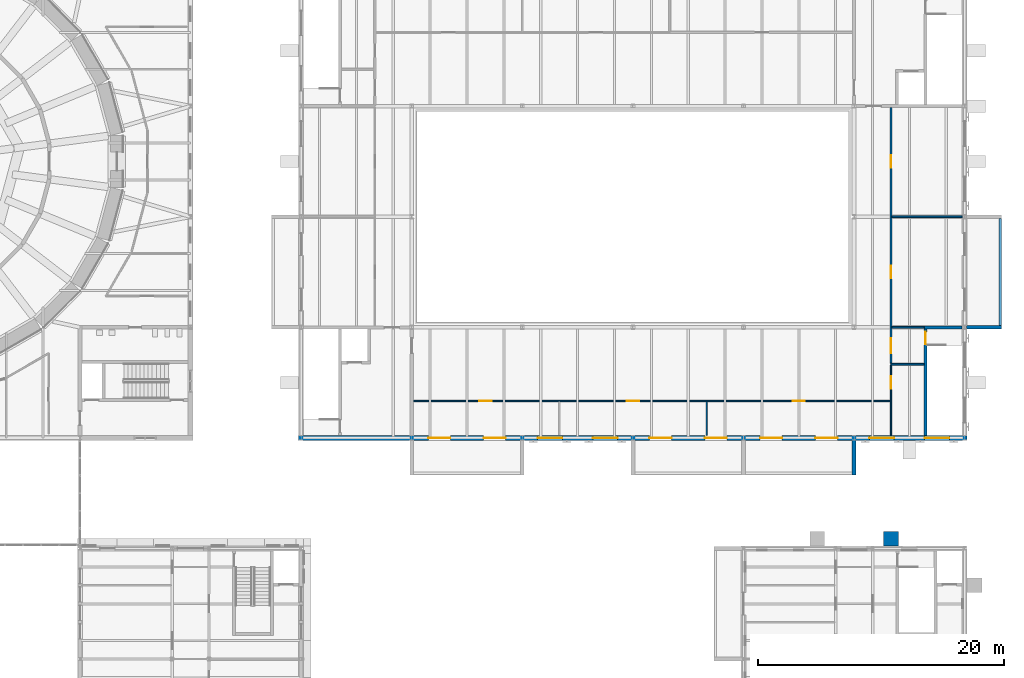
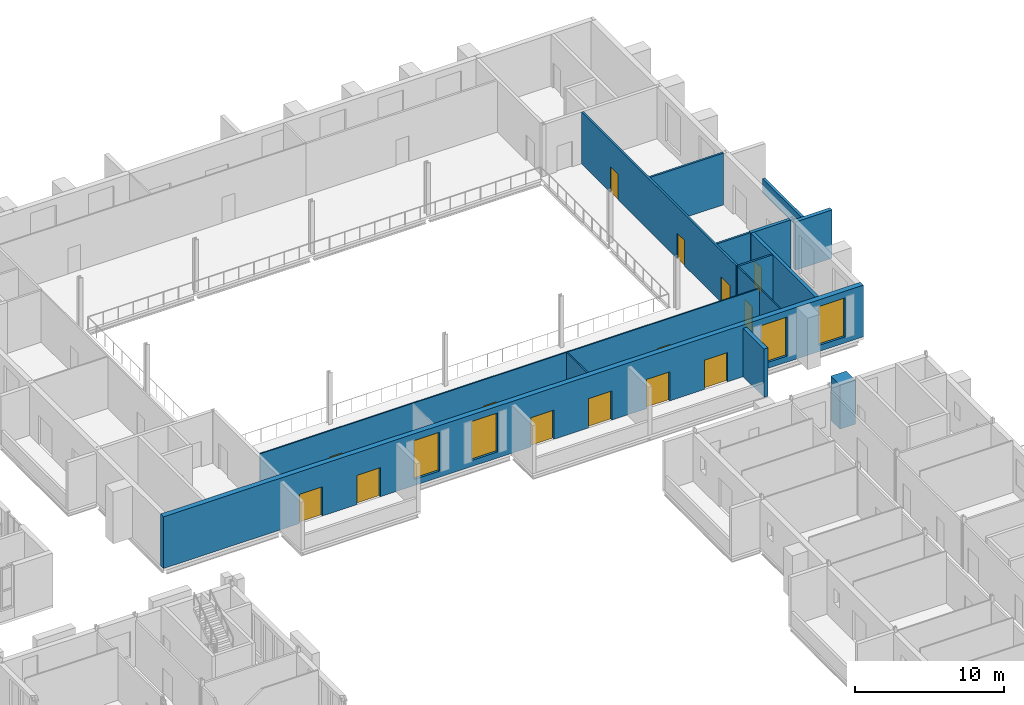
# One storey, part 94 of 131: 14 doors, 14 walls, 4 windows, 18 openings.
"""IFC4 building model written with IfcOpenShell, lengths in metres."""

import ifcopenshell
import ifcopenshell.guid

model = None  # the IFC model being written
_history = None  # IfcOwnerHistory: only IFC2X3 demands one
_inside = {}  # id of a spatial element -> (the spatial element, [elements in it])
_under = {}  # id of a project, library or spatial element -> (it, [spatial elements below it])
_declared = {}  # id of a project -> (the project, [libraries it declares])
_typed = {}  # id of a type object -> (the type object, [elements of that type])
_made_of = {}  # id of a material, layer set ... -> (it, [elements and type objects made of it])


def new_model(schema):
    """Start an empty IFC model of exactly this schema.

    Asked for "IFC4X3", IfcOpenShell would pick the latest addendum, in which some entities
    have other attributes; the version numbers below select the first issue.
    IFC2X3 requires an IfcOwnerHistory on every rooted entity: one is made here for all.
    """
    global model, _history
    if schema == "IFC4X3":
        model = ifcopenshell.file(schema_version=(4, 3, 0, 0))
    else:
        model = ifcopenshell.file(schema=schema)
    _inside.clear()
    _under.clear()
    _declared.clear()
    _typed.clear()
    _made_of.clear()
    _history = None
    if model.schema == "IFC2X3":
        org = make("IfcOrganization", Name="unknown")
        user = make(
            "IfcPersonAndOrganization",
            ThePerson=make("IfcPerson", FamilyName="unknown"),
            TheOrganization=org,
        )
        app = make(
            "IfcApplication",
            ApplicationDeveloper=org,
            Version="unknown",
            ApplicationFullName="unknown",
            ApplicationIdentifier="unknown",
        )
        _history = make(
            "IfcOwnerHistory",
            OwningUser=user,
            OwningApplication=app,
            ChangeAction="ADDED",
            CreationDate=0,
        )
    return model


def make(cls, **values):
    """One entity of the class cls with the attributes given. An attribute that is None is left unset."""
    return model.create_entity(
        cls, **{name: value for name, value in values.items() if value is not None}
    )


def rooted(cls, **values):
    """An entity with a GlobalId (a new one), such as an element, a storey or a relation."""
    return make(cls, GlobalId=ifcopenshell.guid.new(), OwnerHistory=_history, **values)


def si_unit(unit_type, name, prefix=None):
    """IfcSIUnit, for example si_unit("LENGTHUNIT", "METRE", prefix="MILLI")."""
    return make("IfcSIUnit", UnitType=unit_type, Prefix=prefix, Name=name)


def assignment(units):
    """IfcUnitAssignment: the units of a project."""
    return None if units is None else make("IfcUnitAssignment", Units=units)


def point(xyz):
    """IfcCartesianPoint."""
    return None if xyz is None else make("IfcCartesianPoint", Coordinates=xyz)


def direction(xyz):
    """IfcDirection."""
    return None if xyz is None else make("IfcDirection", DirectionRatios=xyz)


def frame(location, z_axis=None, x_axis=None):
    """IfcAxis2Placement3D, a coordinate frame: its origin and axes. An axis left out is left unset."""
    return make(
        "IfcAxis2Placement3D",
        Location=point(location),
        Axis=direction(z_axis),
        RefDirection=direction(x_axis),
    )


def frame_2d(location, x_axis=None):
    """IfcAxis2Placement2D, a coordinate frame in the plane: its origin and x axis."""
    return make(
        "IfcAxis2Placement2D", Location=point(location), RefDirection=direction(x_axis)
    )


def origin():
    """The frame at (0, 0, 0) with its axes left unset."""
    return frame((0.0, 0.0, 0.0))


def place(relative_to, where):
    """IfcLocalPlacement: puts the frame where relative to a parent placement (None: the world)."""
    return make(
        "IfcLocalPlacement", PlacementRelTo=relative_to, RelativePlacement=where
    )


def context(
    kind, dimensions, precision=None, world=None, true_north=None, identifier=None
):
    """IfcGeometricRepresentationContext, for example the 3D "Model" context."""
    return make(
        "IfcGeometricRepresentationContext",
        ContextIdentifier=identifier,
        ContextType=kind,
        CoordinateSpaceDimension=dimensions,
        Precision=precision,
        WorldCoordinateSystem=world,
        TrueNorth=true_north,
    )


def subcontext(parent, identifier, kind, view, scale=None):
    """IfcGeometricRepresentationSubContext, for example "Body" below "Model"."""
    return make(
        "IfcGeometricRepresentationSubContext",
        ContextIdentifier=identifier,
        ContextType=kind,
        ParentContext=parent,
        TargetScale=scale,
        TargetView=view,
    )


def project(units=None, contexts=None):
    """IfcProject with its units and contexts."""
    return rooted(
        "IfcProject",
        Name="project",
        RepresentationContexts=contexts,
        UnitsInContext=assignment(units),
    )


def spatial(cls, under=None, at=None, **own):
    """A site, building, storey or space (cls), placed at a placement, below another one or the project."""
    s = rooted(cls, ObjectPlacement=at, **own)
    if under is not None:
        _under.setdefault(under.id(), (under, []))[1].append(s)
    return s


def profile(cls, at=None, kind="AREA", **sizes):
    """A parametric profile (cls). Its sizes go by their IFC names, for example OverallWidth=200.0."""
    return make(cls, ProfileType=kind, Position=at, **sizes)


def rectangle(**sizes):
    """IfcRectangleProfileDef."""
    return profile("IfcRectangleProfileDef", **sizes)


def extrude(swept, where, along, depth):
    """IfcExtrudedAreaSolid: the profile swept, set in the frame where, extruded along a direction by depth."""
    return make(
        "IfcExtrudedAreaSolid",
        SweptArea=swept,
        Position=where,
        ExtrudedDirection=direction(along),
        Depth=depth,
    )


def shape(context_of_items, identifier, shape_type, items):
    """IfcShapeRepresentation: the items that make up one representation, for example the "Body"."""
    return make(
        "IfcShapeRepresentation",
        ContextOfItems=context_of_items,
        RepresentationIdentifier=identifier,
        RepresentationType=shape_type,
        Items=items,
    )


def material(Name=None, Category=None):
    """IfcMaterial."""
    return make("IfcMaterial", Name=Name, Category=Category)


def layer(
    of_material, thickness, ventilated=None, Name=None, Category=None, Priority=None
):
    """IfcMaterialLayer: one layer of a wall or slab, of a material (None: an air gap)."""
    return make(
        "IfcMaterialLayer",
        Material=of_material,
        LayerThickness=thickness,
        IsVentilated=ventilated,
        Name=Name,
        Category=Category,
        Priority=Priority,
    )


def layer_set(layers, Name=None):
    """IfcMaterialLayerSet."""
    return make("IfcMaterialLayerSet", MaterialLayers=layers, LayerSetName=Name)


def made_of(thing, what):
    """Note that an element or type object is made of a material, layer set ...; save() writes the relation."""
    if what is not None:
        _made_of.setdefault(what.id(), (what, []))[1].append(thing)
    return thing


def type_object(cls, material=None, **own):
    """A type object (cls), such as IfcWallType, which elements share."""
    return made_of(rooted(cls, **own), material)


def element(
    cls,
    number,
    at=None,
    inside=None,
    cuts=None,
    type_object=None,
    material=None,
    context=None,
    identifier="Body",
    shape_type=None,
    held_by="IfcProductDefinitionShape",
    body=None,
    shapes=None,
    **own,
):
    """One element of the class cls, such as IfcWall. Its Tag is "e" and its number.

    at: its placement. inside: the storey or other place that contains it. cuts: it is an
    opening in that element (IfcRelVoidsElement). A single representation is given by context,
    identifier, shape_type and body (its items); several are given by shapes. held_by: the class
    of the entity that holds the representations. save() writes the other relations.
    """
    e = rooted(cls, Tag="e%d" % number, ObjectPlacement=at, **own)
    if body is not None:
        shapes = [shape(context, identifier, shape_type, body)]
    if shapes is not None:
        e.Representation = make(held_by, Representations=shapes)
    if inside is not None:
        _inside.setdefault(inside.id(), (inside, []))[1].append(e)
    if cuts is not None:
        rooted(
            "IfcRelVoidsElement", RelatingBuildingElement=cuts, RelatedOpeningElement=e
        )
    if type_object is not None:
        _typed.setdefault(type_object.id(), (type_object, []))[1].append(e)
    return made_of(e, material)


def fill(opening, filler):
    """IfcRelFillsElement: the door or window that sits in an opening."""
    return rooted(
        "IfcRelFillsElement",
        RelatingOpeningElement=opening,
        RelatedBuildingElement=filler,
    )


def aggregate(whole, parts):
    """IfcRelAggregates: a whole, such as a stair, and the parts it consists of."""
    return rooted("IfcRelAggregates", RelatingObject=whole, RelatedObjects=parts)


def save(model, path):
    """Write the relations noted so far, then the file.

    IfcRelAggregates (storeys below a building ...), IfcRelContainedInSpatialStructure (elements
    in a storey), IfcRelDefinesByType, IfcRelAssociatesMaterial and IfcRelDeclares: one each for
    every whole, place, type object, material and project.
    """
    for whole, parts in _under.values():
        aggregate(whole, parts)
    for where, things in _inside.values():
        rooted(
            "IfcRelContainedInSpatialStructure",
            RelatedElements=things,
            RelatingStructure=where,
        )
    for kind, things in _typed.values():
        rooted("IfcRelDefinesByType", RelatedObjects=things, RelatingType=kind)
    for what, things in _made_of.values():
        rooted("IfcRelAssociatesMaterial", RelatedObjects=things, RelatingMaterial=what)
    for by, libraries in _declared.values():
        rooted("IfcRelDeclares", RelatingContext=by, RelatedDefinitions=libraries)
    model.write(path)


model = new_model("IFC4")

# Units and contexts
model_context = context("Model", 3, precision=1e-05, world=origin(), true_north=direction((0.0, 1.0)))
body_context = subcontext(model_context, "Body", "Model", "MODEL_VIEW")
ifc_project = project(units=[si_unit("LENGTHUNIT", "METRE"), si_unit("AREAUNIT", "SQUARE_METRE"), si_unit("VOLUMEUNIT", "CUBIC_METRE"), si_unit("PLANEANGLEUNIT", "RADIAN"), si_unit("MASSUNIT", "GRAM", prefix="KILO")], contexts=[model_context])

# Site, building, storey
site_placement = place(None, origin())
site = spatial("IfcSite", under=ifc_project, at=site_placement, CompositionType="ELEMENT")
building_placement = place(site_placement, origin())
building = spatial("IfcBuilding", under=site, at=building_placement, Name="Golden Quay Civic Hall", CompositionType="ELEMENT")
storey_placement = place(building_placement, frame((0.0, 0.0, 9.89990234375)))
storey = spatial("IfcBuildingStorey", under=building, at=storey_placement, Name="L02", CompositionType="ELEMENT", Elevation=9.89990234375)

# Wall
ifc_material_1 = material(Name="Brick, dark clay facing", Category="masonry")
ifc_layer_1 = layer(ifc_material_1, 0.199951171875)
ifc_layer_set_1 = layer_set([ifc_layer_1], Name="Brick balustrade wall 200")
wall_type_1 = type_object("IfcWallType", Name="Brick balustrade wall 200", PredefinedType="STANDARD", material=ifc_layer_set_1)
wall_1_placement = place(storey_placement, frame((173.8798828125, 72.14990234375, 0.0), z_axis=(0.0, 0.0, 1.0), x_axis=(0.0, 1.0, 0.0)))
element("IfcWall", 1, at=wall_1_placement, inside=storey, type_object=wall_type_1, Name="Brick balustrade wall 200 L02 10", PredefinedType="STANDARD", context=body_context, shape_type="SweptSolid", body=[
    extrude(rectangle(XDim=8.7001953125, YDim=0.199951171875, at=frame_2d((4.35009765625, 0.0))), origin(), (0.0, 0.0, 1.0), 1.150146484375),
])

# Wall, openings, doors, windows
ifc_material_2 = material(Name="Brick, dark clay facing", Category="masonry")
ifc_layer_2 = layer(ifc_material_2, 0.39990234375)
ifc_layer_set_2 = layer_set([ifc_layer_2], Name="Brick external wall 400 fire EI 120")
wall_type_2 = type_object("IfcWallType", Name="Brick external wall 400 fire EI 120", PredefinedType="STANDARD", material=ifc_layer_set_2)
wall_2_placement = place(storey_placement, frame((116.800048828125, 63.0, 0.0), z_axis=(0.0, 0.0, 1.0), x_axis=(1.0, 0.0, 0.0)))
wall_2 = element("IfcWall", 2, at=wall_2_placement, inside=storey, type_object=wall_type_2, Name="L02 external wall S", PredefinedType="STANDARD", context=body_context, shape_type="SweptSolid", body=[
    extrude(rectangle(XDim=54.39990234375, YDim=0.39990234375, at=frame_2d((27.199951171875, 0.0))), origin(), (0.0, 0.0, 1.0), 4.25),
])
opening_1_placement = place(wall_2_placement, frame((19.449951171875, 0.0, 0.5)))
opening_1 = element("IfcOpeningElement", 3, at=opening_1_placement, cuts=wall_2, Name="Opening WN19", PredefinedType="OPENING", context=body_context, shape_type="SweptSolid", body=[
    extrude(rectangle(XDim=2.0, YDim=3.199951171875, at=frame_2d((1.0, 1.60009765625))), frame((0.0, 0.2099609375, 0.0), z_axis=(0.0, -1.0, 0.0), x_axis=(1.0, 0.0, 0.0)), (0.0, 0.0, 1.0), 0.419921875),
])
opening_2_placement = place(wall_2_placement, frame((23.949951171875, 0.0, 0.5)))
opening_2 = element("IfcOpeningElement", 4, at=opening_2_placement, cuts=wall_2, Name="Opening WN19", PredefinedType="OPENING", context=body_context, shape_type="SweptSolid", body=[
    extrude(rectangle(XDim=2.0, YDim=3.199951171875, at=frame_2d((1.0, 1.60009765625))), frame((0.0, 0.2099609375, 0.0), z_axis=(0.0, -1.0, 0.0), x_axis=(1.0, 0.0, 0.0)), (0.0, 0.0, 1.0), 0.419921875),
])
opening_3_placement = place(wall_2_placement, frame((46.449951171875, 0.0, 0.5)))
opening_3 = element("IfcOpeningElement", 5, at=opening_3_placement, cuts=wall_2, Name="Opening WN19", PredefinedType="OPENING", context=body_context, shape_type="SweptSolid", body=[
    extrude(rectangle(XDim=2.0, YDim=3.199951171875, at=frame_2d((1.0, 1.60009765625))), frame((0.0, 0.2099609375, 0.0), z_axis=(0.0, -1.0, 0.0), x_axis=(1.0, 0.0, 0.0)), (0.0, 0.0, 1.0), 0.419921875),
])
opening_4_placement = place(wall_2_placement, frame((50.949951171875, 0.0, 0.5)))
opening_4 = element("IfcOpeningElement", 6, at=opening_4_placement, cuts=wall_2, Name="Opening WN19", PredefinedType="OPENING", context=body_context, shape_type="SweptSolid", body=[
    extrude(rectangle(XDim=2.0, YDim=3.199951171875, at=frame_2d((1.0, 1.60009765625))), frame((0.0, 0.2099609375, 0.0), z_axis=(0.0, -1.0, 0.0), x_axis=(1.0, 0.0, 0.0)), (0.0, 0.0, 1.0), 0.419921875),
])
opening_5_placement = place(wall_2_placement, frame((10.550048828125, 0.0, 0.0)))
opening_5 = element("IfcOpeningElement", 7, at=opening_5_placement, cuts=wall_2, Name="Opening L02-D012", PredefinedType="OPENING", context=body_context, shape_type="SweptSolid", body=[
    extrude(rectangle(XDim=1.800048828125, YDim=2.39990234375, at=frame_2d((0.89990234375, 1.199951171875))), frame((0.0, 0.2099609375, 0.0), z_axis=(0.0, -1.0, 0.0), x_axis=(1.0, 0.0, 0.0)), (0.0, 0.0, 1.0), 0.419921875),
])
opening_6_placement = place(wall_2_placement, frame((15.050048828125, 0.0, 0.0)))
opening_6 = element("IfcOpeningElement", 8, at=opening_6_placement, cuts=wall_2, Name="Opening L02-D013", PredefinedType="OPENING", context=body_context, shape_type="SweptSolid", body=[
    extrude(rectangle(XDim=1.800048828125, YDim=2.39990234375, at=frame_2d((0.89990234375, 1.199951171875))), frame((0.0, 0.2099609375, 0.0), z_axis=(0.0, -1.0, 0.0), x_axis=(1.0, 0.0, 0.0)), (0.0, 0.0, 1.0), 0.419921875),
])
opening_7_placement = place(wall_2_placement, frame((28.550048828125, 0.0, 0.0)))
opening_7 = element("IfcOpeningElement", 9, at=opening_7_placement, cuts=wall_2, Name="Opening L02-D014", PredefinedType="OPENING", context=body_context, shape_type="SweptSolid", body=[
    extrude(rectangle(XDim=1.800048828125, YDim=2.39990234375, at=frame_2d((0.89990234375, 1.199951171875))), frame((0.0, 0.2099609375, 0.0), z_axis=(0.0, -1.0, 0.0), x_axis=(1.0, 0.0, 0.0)), (0.0, 0.0, 1.0), 0.419921875),
])
opening_8_placement = place(wall_2_placement, frame((33.050048828125, 0.0, 0.0)))
opening_8 = element("IfcOpeningElement", 10, at=opening_8_placement, cuts=wall_2, Name="Opening L02-D015", PredefinedType="OPENING", context=body_context, shape_type="SweptSolid", body=[
    extrude(rectangle(XDim=1.800048828125, YDim=2.39990234375, at=frame_2d((0.89990234375, 1.199951171875))), frame((0.0, 0.2099609375, 0.0), z_axis=(0.0, -1.0, 0.0), x_axis=(1.0, 0.0, 0.0)), (0.0, 0.0, 1.0), 0.419921875),
])
opening_9_placement = place(wall_2_placement, frame((37.550048828125, 0.0, 0.0)))
opening_9 = element("IfcOpeningElement", 11, at=opening_9_placement, cuts=wall_2, Name="Opening L02-D016", PredefinedType="OPENING", context=body_context, shape_type="SweptSolid", body=[
    extrude(rectangle(XDim=1.800048828125, YDim=2.39990234375, at=frame_2d((0.89990234375, 1.199951171875))), frame((0.0, 0.2099609375, 0.0), z_axis=(0.0, -1.0, 0.0), x_axis=(1.0, 0.0, 0.0)), (0.0, 0.0, 1.0), 0.419921875),
])
opening_10_placement = place(wall_2_placement, frame((42.050048828125, 0.0, 0.0)))
opening_10 = element("IfcOpeningElement", 12, at=opening_10_placement, cuts=wall_2, Name="Opening L02-D017", PredefinedType="OPENING", context=body_context, shape_type="SweptSolid", body=[
    extrude(rectangle(XDim=1.800048828125, YDim=2.39990234375, at=frame_2d((0.89990234375, 1.199951171875))), frame((0.0, 0.2099609375, 0.0), z_axis=(0.0, -1.0, 0.0), x_axis=(1.0, 0.0, 0.0)), (0.0, 0.0, 1.0), 0.419921875),
])
ifc_material_3 = material(Name="Aluminium frame, glazed", Category="aluminium")
door_type_1 = type_object("IfcDoorType", Name="Glazed double terrace door 1800 x 2400", OperationType="DOUBLE_DOOR_SINGLE_SWING", PredefinedType="DOOR", material=ifc_material_3)
door_1_placement = place(opening_5_placement, frame((1.800048828125, 0.0, 0.0), z_axis=(0.0, 0.0, 1.0), x_axis=(-1.0, 0.0, 0.0)))
door_1 = element("IfcDoor", 13, at=door_1_placement, inside=storey, type_object=door_type_1, Name="Loggia door L02 S112", OperationType="DOUBLE_DOOR_SINGLE_SWING", OverallHeight=2.39990234375, OverallWidth=1.800048828125, PredefinedType="DOOR", context=body_context, shape_type="SweptSolid", body=[
    extrude(rectangle(XDim=1.800048828125, YDim=2.39990234375, at=frame_2d((0.900146484375, 1.199951171875))), frame((0.0, 0.025146484375, 0.0), z_axis=(0.0, -1.0, 0.0), x_axis=(1.0, 0.0, 0.0)), (0.0, 0.0, 1.0), 0.050048828125),
])
fill(opening_5, door_1)
door_2_placement = place(opening_6_placement, frame((1.800048828125, 0.0, 0.0), z_axis=(0.0, 0.0, 1.0), x_axis=(-1.0, 0.0, 0.0)))
door_2 = element("IfcDoor", 14, at=door_2_placement, inside=storey, type_object=door_type_1, Name="Loggia door L02 S157", OperationType="DOUBLE_DOOR_SINGLE_SWING", OverallHeight=2.39990234375, OverallWidth=1.800048828125, PredefinedType="DOOR", context=body_context, shape_type="SweptSolid", body=[
    extrude(rectangle(XDim=1.800048828125, YDim=2.39990234375, at=frame_2d((0.900146484375, 1.199951171875))), frame((0.0, 0.025146484375, 0.0), z_axis=(0.0, -1.0, 0.0), x_axis=(1.0, 0.0, 0.0)), (0.0, 0.0, 1.0), 0.050048828125),
])
fill(opening_6, door_2)
door_3_placement = place(opening_7_placement, frame((1.800048828125, 0.0, 0.0), z_axis=(0.0, 0.0, 1.0), x_axis=(-1.0, 0.0, 0.0)))
door_3 = element("IfcDoor", 15, at=door_3_placement, inside=storey, type_object=door_type_1, Name="Loggia door L02 S292", OperationType="DOUBLE_DOOR_SINGLE_SWING", OverallHeight=2.39990234375, OverallWidth=1.800048828125, PredefinedType="DOOR", context=body_context, shape_type="SweptSolid", body=[
    extrude(rectangle(XDim=1.800048828125, YDim=2.39990234375, at=frame_2d((0.900146484375, 1.199951171875))), frame((0.0, 0.025146484375, 0.0), z_axis=(0.0, -1.0, 0.0), x_axis=(1.0, 0.0, 0.0)), (0.0, 0.0, 1.0), 0.050048828125),
])
fill(opening_7, door_3)
door_4_placement = place(opening_8_placement, frame((1.800048828125, 0.0, 0.0), z_axis=(0.0, 0.0, 1.0), x_axis=(-1.0, 0.0, 0.0)))
door_4 = element("IfcDoor", 16, at=door_4_placement, inside=storey, type_object=door_type_1, Name="Loggia door L02 S337", OperationType="DOUBLE_DOOR_SINGLE_SWING", OverallHeight=2.39990234375, OverallWidth=1.800048828125, PredefinedType="DOOR", context=body_context, shape_type="SweptSolid", body=[
    extrude(rectangle(XDim=1.800048828125, YDim=2.39990234375, at=frame_2d((0.900146484375, 1.199951171875))), frame((0.0, 0.025146484375, 0.0), z_axis=(0.0, -1.0, 0.0), x_axis=(1.0, 0.0, 0.0)), (0.0, 0.0, 1.0), 0.050048828125),
])
fill(opening_8, door_4)
door_5_placement = place(opening_9_placement, frame((1.800048828125, 0.0, 0.0), z_axis=(0.0, 0.0, 1.0), x_axis=(-1.0, 0.0, 0.0)))
door_5 = element("IfcDoor", 17, at=door_5_placement, inside=storey, type_object=door_type_1, Name="Loggia door L02 S382", OperationType="DOUBLE_DOOR_SINGLE_SWING", OverallHeight=2.39990234375, OverallWidth=1.800048828125, PredefinedType="DOOR", context=body_context, shape_type="SweptSolid", body=[
    extrude(rectangle(XDim=1.800048828125, YDim=2.39990234375, at=frame_2d((0.900146484375, 1.199951171875))), frame((0.0, 0.025146484375, 0.0), z_axis=(0.0, -1.0, 0.0), x_axis=(1.0, 0.0, 0.0)), (0.0, 0.0, 1.0), 0.050048828125),
])
fill(opening_9, door_5)
door_6_placement = place(opening_10_placement, frame((1.800048828125, 0.0, 0.0), z_axis=(0.0, 0.0, 1.0), x_axis=(-1.0, 0.0, 0.0)))
door_6 = element("IfcDoor", 18, at=door_6_placement, inside=storey, type_object=door_type_1, Name="Loggia door L02 S427", OperationType="DOUBLE_DOOR_SINGLE_SWING", OverallHeight=2.39990234375, OverallWidth=1.800048828125, PredefinedType="DOOR", context=body_context, shape_type="SweptSolid", body=[
    extrude(rectangle(XDim=1.800048828125, YDim=2.39990234375, at=frame_2d((0.900146484375, 1.199951171875))), frame((0.0, 0.025146484375, 0.0), z_axis=(0.0, -1.0, 0.0), x_axis=(1.0, 0.0, 0.0)), (0.0, 0.0, 1.0), 0.050048828125),
])
fill(opening_10, door_6)
ifc_material_4 = material(Name="Timber", Category="wood")
window_type = type_object("IfcWindowType", Name="Tall timber window 2000 x 3200", PartitioningType="SINGLE_PANEL", PredefinedType="WINDOW", material=ifc_material_4)
window_1_placement = place(opening_1_placement, origin())
window_1 = element("IfcWindow", 19, at=window_1_placement, inside=storey, type_object=window_type, Name="L02 window S202", OverallHeight=3.199951171875, OverallWidth=2.0, PartitioningType="SINGLE_PANEL", PredefinedType="WINDOW", context=body_context, shape_type="SweptSolid", body=[
    extrude(rectangle(XDim=2.0, YDim=3.199951171875, at=frame_2d((1.0, 1.60009765625))), frame((0.0, 0.030029296875, 0.0), z_axis=(0.0, -1.0, 0.0), x_axis=(1.0, 0.0, 0.0)), (0.0, 0.0, 1.0), 0.06005859375),
])
fill(opening_1, window_1)
window_2_placement = place(opening_2_placement, origin())
window_2 = element("IfcWindow", 20, at=window_2_placement, inside=storey, type_object=window_type, Name="L02 window S247", OverallHeight=3.199951171875, OverallWidth=2.0, PartitioningType="SINGLE_PANEL", PredefinedType="WINDOW", context=body_context, shape_type="SweptSolid", body=[
    extrude(rectangle(XDim=2.0, YDim=3.199951171875, at=frame_2d((1.0, 1.60009765625))), frame((0.0, 0.030029296875, 0.0), z_axis=(0.0, -1.0, 0.0), x_axis=(1.0, 0.0, 0.0)), (0.0, 0.0, 1.0), 0.06005859375),
])
fill(opening_2, window_2)
window_3_placement = place(opening_3_placement, origin())
window_3 = element("IfcWindow", 21, at=window_3_placement, inside=storey, type_object=window_type, Name="L02 window S472", OverallHeight=3.199951171875, OverallWidth=2.0, PartitioningType="SINGLE_PANEL", PredefinedType="WINDOW", context=body_context, shape_type="SweptSolid", body=[
    extrude(rectangle(XDim=2.0, YDim=3.199951171875, at=frame_2d((1.0, 1.60009765625))), frame((0.0, 0.030029296875, 0.0), z_axis=(0.0, -1.0, 0.0), x_axis=(1.0, 0.0, 0.0)), (0.0, 0.0, 1.0), 0.06005859375),
])
fill(opening_3, window_3)
window_4_placement = place(opening_4_placement, origin())
window_4 = element("IfcWindow", 22, at=window_4_placement, inside=storey, type_object=window_type, Name="L02 window S517", OverallHeight=3.199951171875, OverallWidth=2.0, PartitioningType="SINGLE_PANEL", PredefinedType="WINDOW", context=body_context, shape_type="SweptSolid", body=[
    extrude(rectangle(XDim=2.0, YDim=3.199951171875, at=frame_2d((1.0, 1.60009765625))), frame((0.0, 0.030029296875, 0.0), z_axis=(0.0, -1.0, 0.0), x_axis=(1.0, 0.0, 0.0)), (0.0, 0.0, 1.0), 0.06005859375),
])
fill(opening_4, window_4)

# Walls
ifc_material_5 = material(Name="Brick, dark clay facing", Category="masonry")
ifc_layer_3 = layer(ifc_material_5, 0.300048828125)
ifc_layer_set_3 = layer_set([ifc_layer_3], Name="Brick loggia wall 300")
wall_type_3 = type_object("IfcWallType", Name="Brick loggia wall 300", PredefinedType="STANDARD", material=ifc_layer_set_3)
wall_3_placement = place(storey_placement, frame((162.0, 62.820068359375, 0.0), z_axis=(0.0, 0.0, 1.0), x_axis=(0.0, -1.0, 0.0)))
element("IfcWall", 23, at=wall_3_placement, inside=storey, type_object=wall_type_3, Name="Brick loggia wall 300 L02 15", PredefinedType="STANDARD", context=body_context, shape_type="SweptSolid", body=[
    extrude(rectangle(XDim=2.820068359375, YDim=0.300048828125, at=frame_2d((1.41015625, 0.0))), origin(), (0.0, 0.0, 1.0), 3.97021484375),
])
wall_4_placement = place(storey_placement, frame((171.14990234375, 72.0, 0.0), z_axis=(0.0, 0.0, 1.0), x_axis=(1.0, 0.0, 0.0)))
element("IfcWall", 24, at=wall_4_placement, inside=storey, type_object=wall_type_3, Name="Brick loggia wall 300 L02 16", PredefinedType="STANDARD", context=body_context, shape_type="SweptSolid", body=[
    extrude(rectangle(XDim=2.85009765625, YDim=0.300048828125, at=frame_2d((1.425048828125, 0.0))), origin(), (0.0, 0.0, 1.0), 3.97021484375),
])
ifc_material_6 = material(Name="Brick, dark clay facing", Category="masonry")
ifc_layer_4 = layer(ifc_material_6, 1.199951171875)
ifc_layer_set_4 = layer_set([ifc_layer_4], Name="Brick pilaster 1200 x 1200")
wall_type_4 = type_object("IfcWallType", Name="Brick pilaster 1200 x 1200", PredefinedType="STANDARD", material=ifc_layer_set_4)
wall_5_placement = place(storey_placement, frame((164.39990234375, 54.800048828125, 0.0), z_axis=(0.0, 0.0, 1.0), x_axis=(1.0, 0.0, 0.0)))
element("IfcWall", 25, at=wall_5_placement, inside=storey, type_object=wall_type_4, Name="Brick pilaster 1200 x 1200 L02 11", PredefinedType="STANDARD", context=body_context, shape_type="SweptSolid", body=[
    extrude(rectangle(XDim=1.2001953125, YDim=1.199951171875, at=frame_2d((0.60009765625, 0.0))), origin(), (0.0, 0.0, 1.0), 3.650146484375),
])

# Wall, opening, door
ifc_material_7 = material(Name="Concrete C40/50", Category="concrete")
ifc_layer_5 = layer(ifc_material_7, 0.25)
ifc_layer_set_5 = layer_set([ifc_layer_5], Name="Concrete core wall 250, Concrete C40/50")
wall_type_5 = type_object("IfcWallType", Name="Concrete core wall 250", PredefinedType="SHEAR", material=ifc_layer_set_5)
wall_6_placement = place(storey_placement, frame((167.824951171875, 71.875, 0.0), z_axis=(0.0, 0.0, 1.0), x_axis=(0.0, -1.0, 0.0)))
wall_6 = element("IfcWall", 26, at=wall_6_placement, inside=storey, type_object=wall_type_5, Name="L02 core wall S stair east", PredefinedType="SHEAR", context=body_context, shape_type="SweptSolid", body=[
    extrude(rectangle(XDim=8.675048828125, YDim=0.25, at=frame_2d((4.33740234375, 0.0))), origin(), (0.0, 0.0, 1.0), 4.25),
])
opening_11_placement = place(wall_6_placement, frame((0.25, 0.0, 0.0)))
opening_11 = element("IfcOpeningElement", 27, at=opening_11_placement, cuts=wall_6, Name="Opening L02-D215", PredefinedType="OPENING", context=body_context, shape_type="SweptSolid", body=[
    extrude(rectangle(XDim=1.0, YDim=2.10009765625, at=frame_2d((0.5, 1.050048828125))), frame((0.0, 0.135009765625, 0.0), z_axis=(0.0, -1.0, 0.0), x_axis=(1.0, 0.0, 0.0)), (0.0, 0.0, 1.0), 0.27001953125),
])
ifc_material_8 = material(Name="Steel", Category="steel")
door_type_2 = type_object("IfcDoorType", Name="Steel fire door FD60 1000 x 2100", OperationType="SINGLE_SWING_LEFT", PredefinedType="DOOR", material=ifc_material_8)
door_7_placement = place(opening_11_placement, frame((1.0, 0.0, 0.0), z_axis=(0.0, 0.0, 1.0), x_axis=(-1.0, 0.0, 0.0)))
door_7 = element("IfcDoor", 28, at=door_7_placement, inside=storey, type_object=door_type_2, Name="Stair door LB-S", OperationType="SINGLE_SWING_RIGHT", OverallHeight=2.10009765625, OverallWidth=1.0, PredefinedType="DOOR", context=body_context, shape_type="SweptSolid", body=[
    extrude(rectangle(XDim=1.0, YDim=2.10009765625, at=frame_2d((0.5, 1.050048828125))), frame((0.0, 0.025146484375, 0.0), z_axis=(0.0, -1.0, 0.0), x_axis=(1.0, 0.0, 0.0)), (0.0, 0.0, 1.0), 0.050048828125),
])
fill(opening_11, door_7)

# Wall
wall_7_placement = place(storey_placement, frame((170.800048828125, 72.0, 0.0), z_axis=(0.0, 0.0, 1.0), x_axis=(-1.0, 0.0, 0.0)))
element("IfcWall", 29, at=wall_7_placement, inside=storey, type_object=wall_type_5, Name="L02 core wall S stair south", PredefinedType="SHEAR", context=body_context, shape_type="SweptSolid", body=[
    extrude(rectangle(XDim=3.10009765625, YDim=0.25, at=frame_2d((1.550048828125, 0.0))), origin(), (0.0, 0.0, 1.0), 4.25),
])

# Wall, openings, doors
ifc_material_9 = material(Name="Plasterboard on steel studs", Category="steel")
ifc_layer_6 = layer(ifc_material_9, 0.10009765625)
ifc_layer_set_6 = layer_set([ifc_layer_6], Name="Partition 100 stud")
wall_type_6 = type_object("IfcWallType", Name="Partition 100 stud", PredefinedType="PARTITIONING", material=ifc_layer_set_6)
wall_8_placement = place(storey_placement, frame((126.125, 66.0, 0.0), z_axis=(0.0, 0.0, 1.0), x_axis=(1.0, 0.0, 0.0)))
wall_8 = element("IfcWall", 30, at=wall_8_placement, inside=storey, type_object=wall_type_6, Name="L02 partition H3-9.12", PredefinedType="PARTITIONING", context=body_context, shape_type="SweptSolid", body=[
    extrude(rectangle(XDim=38.824951171875, YDim=0.10009765625, at=frame_2d((19.41259765625, 0.0))), origin(), (0.0, 0.0, 1.0), 4.25),
])
opening_12_placement = place(wall_8_placement, frame((5.375, 0.0, 0.0)))
opening_12 = element("IfcOpeningElement", 31, at=opening_12_placement, cuts=wall_8, Name="Opening L02-D192", PredefinedType="OPENING", context=body_context, shape_type="SweptSolid", body=[
    extrude(rectangle(XDim=1.0, YDim=2.10009765625, at=frame_2d((0.5, 1.050048828125))), frame((0.0, 0.06005859375, 0.0), z_axis=(0.0, -1.0, 0.0), x_axis=(1.0, 0.0, 0.0)), (0.0, 0.0, 1.0), 0.1201171875),
])
opening_13_placement = place(wall_8_placement, frame((17.375, 0.0, 0.0)))
opening_13 = element("IfcOpeningElement", 32, at=opening_13_placement, cuts=wall_8, Name="Opening L02-D193", PredefinedType="OPENING", context=body_context, shape_type="SweptSolid", body=[
    extrude(rectangle(XDim=1.0, YDim=2.10009765625, at=frame_2d((0.5, 1.050048828125))), frame((0.0, 0.06005859375, 0.0), z_axis=(0.0, -1.0, 0.0), x_axis=(1.0, 0.0, 0.0)), (0.0, 0.0, 1.0), 0.1201171875),
])
opening_14_placement = place(wall_8_placement, frame((30.875, 0.0, 0.0)))
opening_14 = element("IfcOpeningElement", 33, at=opening_14_placement, cuts=wall_8, Name="Opening L02-D194", PredefinedType="OPENING", context=body_context, shape_type="SweptSolid", body=[
    extrude(rectangle(XDim=1.0, YDim=2.10009765625, at=frame_2d((0.5, 1.050048828125))), frame((0.0, 0.06005859375, 0.0), z_axis=(0.0, -1.0, 0.0), x_axis=(1.0, 0.0, 0.0)), (0.0, 0.0, 1.0), 0.1201171875),
])
ifc_material_10 = material(Name="Timber", Category="wood")
door_type_3 = type_object("IfcDoorType", Name="Timber door 1000 x 2100", OperationType="SINGLE_SWING_LEFT", PredefinedType="DOOR", material=ifc_material_10)
door_8_placement = place(opening_12_placement, frame((1.0, 0.0, 0.0), z_axis=(0.0, 0.0, 1.0), x_axis=(-1.0, 0.0, 0.0)))
door_8 = element("IfcDoor", 34, at=door_8_placement, inside=storey, type_object=door_type_3, Name="Study Room door", OperationType="SINGLE_SWING_RIGHT", OverallHeight=2.10009765625, OverallWidth=1.0, PredefinedType="DOOR", context=body_context, shape_type="SweptSolid", body=[
    extrude(rectangle(XDim=1.0, YDim=2.10009765625, at=frame_2d((0.5, 1.050048828125))), frame((0.0, 0.025146484375, 0.0), z_axis=(0.0, -1.0, 0.0), x_axis=(1.0, 0.0, 0.0)), (0.0, 0.0, 1.0), 0.050048828125),
])
fill(opening_12, door_8)
door_9_placement = place(opening_13_placement, frame((1.0, 0.0, 0.0), z_axis=(0.0, 0.0, 1.0), x_axis=(-1.0, 0.0, 0.0)))
door_9 = element("IfcDoor", 35, at=door_9_placement, inside=storey, type_object=door_type_3, Name="Study Room door", OperationType="SINGLE_SWING_RIGHT", OverallHeight=2.10009765625, OverallWidth=1.0, PredefinedType="DOOR", context=body_context, shape_type="SweptSolid", body=[
    extrude(rectangle(XDim=1.0, YDim=2.10009765625, at=frame_2d((0.5, 1.050048828125))), frame((0.0, 0.025146484375, 0.0), z_axis=(0.0, -1.0, 0.0), x_axis=(1.0, 0.0, 0.0)), (0.0, 0.0, 1.0), 0.050048828125),
])
fill(opening_13, door_9)
door_10_placement = place(opening_14_placement, frame((1.0, 0.0, 0.0), z_axis=(0.0, 0.0, 1.0), x_axis=(-1.0, 0.0, 0.0)))
door_10 = element("IfcDoor", 36, at=door_10_placement, inside=storey, type_object=door_type_3, Name="Study Room door", OperationType="SINGLE_SWING_RIGHT", OverallHeight=2.10009765625, OverallWidth=1.0, PredefinedType="DOOR", context=body_context, shape_type="SweptSolid", body=[
    extrude(rectangle(XDim=1.0, YDim=2.10009765625, at=frame_2d((0.5, 1.050048828125))), frame((0.0, 0.025146484375, 0.0), z_axis=(0.0, -1.0, 0.0), x_axis=(1.0, 0.0, 0.0)), (0.0, 0.0, 1.0), 0.050048828125),
])
fill(opening_14, door_10)

# Wall
wall_9_placement = place(storey_placement, frame((150.0, 63.199951171875, 0.0), z_axis=(0.0, 0.0, 1.0), x_axis=(0.0, 1.0, 0.0)))
element("IfcWall", 37, at=wall_9_placement, inside=storey, type_object=wall_type_6, Name="L02 partition V33-0.20", PredefinedType="PARTITIONING", context=body_context, shape_type="SweptSolid", body=[
    extrude(rectangle(XDim=2.75, YDim=0.10009765625, at=frame_2d((1.375, 0.0))), origin(), (0.0, 0.0, 1.0), 4.25),
])

# Wall, opening, door
wall_10_placement = place(storey_placement, frame((165.0, 63.199951171875, 0.0), z_axis=(0.0, 0.0, 1.0), x_axis=(0.0, 1.0, 0.0)))
wall_10 = element("IfcWall", 38, at=wall_10_placement, inside=storey, type_object=wall_type_6, Name="L02 partition V48-0.20", PredefinedType="PARTITIONING", context=body_context, shape_type="SweptSolid", body=[
    extrude(rectangle(XDim=5.72509765625, YDim=0.10009765625, at=frame_2d((2.862548828125, 0.0))), origin(), (0.0, 0.0, 1.0), 4.25),
])
opening_15_placement = place(wall_10_placement, frame((3.800048828125, 0.0, 0.0)))
opening_15 = element("IfcOpeningElement", 39, at=opening_15_placement, cuts=wall_10, Name="Opening L02-D195", PredefinedType="OPENING", context=body_context, shape_type="SweptSolid", body=[
    extrude(rectangle(XDim=1.0, YDim=2.10009765625, at=frame_2d((0.5, 1.050048828125))), frame((0.0, 0.06005859375, 0.0), z_axis=(0.0, -1.0, 0.0), x_axis=(1.0, 0.0, 0.0)), (0.0, 0.0, 1.0), 0.1201171875),
])
door_11_placement = place(opening_15_placement, frame((1.0, 0.0, 0.0), z_axis=(0.0, 0.0, 1.0), x_axis=(-1.0, 0.0, 0.0)))
door_11 = element("IfcDoor", 40, at=door_11_placement, inside=storey, type_object=door_type_3, Name="Study Room door", OperationType="SINGLE_SWING_RIGHT", OverallHeight=2.10009765625, OverallWidth=1.0, PredefinedType="DOOR", context=body_context, shape_type="SweptSolid", body=[
    extrude(rectangle(XDim=1.0, YDim=2.10009765625, at=frame_2d((0.5, 1.050048828125))), frame((0.0, 0.025146484375, 0.0), z_axis=(0.0, -1.0, 0.0), x_axis=(1.0, 0.0, 0.0)), (0.0, 0.0, 1.0), 0.050048828125),
])
fill(opening_15, door_11)

# Walls
ifc_material_11 = material(Name="Plasterboard on steel studs", Category="steel")
ifc_layer_7 = layer(ifc_material_11, 0.14990234375)
ifc_layer_set_7 = layer_set([ifc_layer_7], Name="Partition 150 stud fire EI 60")
wall_type_7 = type_object("IfcWallType", Name="Partition 150 stud fire EI 60", PredefinedType="PARTITIONING", material=ifc_layer_set_7)
wall_11_placement = place(storey_placement, frame((165.0, 69.0, 0.0), z_axis=(0.0, 0.0, 1.0), x_axis=(1.0, 0.0, 0.0)))
element("IfcWall", 41, at=wall_11_placement, inside=storey, type_object=wall_type_7, Name="L02 partition H6-48.00", PredefinedType="PARTITIONING", context=body_context, shape_type="SweptSolid", body=[
    extrude(rectangle(XDim=2.699951171875, YDim=0.14990234375, at=frame_2d((1.35009765625, 0.0))), origin(), (0.0, 0.0, 1.0), 4.25),
])
wall_12_placement = place(storey_placement, frame((165.074951171875, 72.0, 0.0), z_axis=(0.0, 0.0, 1.0), x_axis=(1.0, 0.0, 0.0)))
element("IfcWall", 42, at=wall_12_placement, inside=storey, type_object=wall_type_7, Name="L02 partition H9-48.08", PredefinedType="PARTITIONING", context=body_context, shape_type="SweptSolid", body=[
    extrude(rectangle(XDim=2.625, YDim=0.14990234375, at=frame_2d((1.3125, 0.0))), origin(), (0.0, 0.0, 1.0), 4.25),
])
wall_13_placement = place(storey_placement, frame((165.074951171875, 81.0, 0.0), z_axis=(0.0, 0.0, 1.0), x_axis=(1.0, 0.0, 0.0)))
element("IfcWall", 43, at=wall_13_placement, inside=storey, type_object=wall_type_7, Name="L02 partition H18-48.08", PredefinedType="PARTITIONING", context=body_context, shape_type="SweptSolid", body=[
    extrude(rectangle(XDim=5.72509765625, YDim=0.14990234375, at=frame_2d((2.862548828125, 0.0))), origin(), (0.0, 0.0, 1.0), 4.25),
])

# Wall, openings, doors
wall_14_placement = place(storey_placement, frame((165.0, 69.074951171875, 0.0), z_axis=(0.0, 0.0, 1.0), x_axis=(0.0, 1.0, 0.0)))
wall_14 = element("IfcWall", 44, at=wall_14_placement, inside=storey, type_object=wall_type_7, Name="L02 partition V48-6.08", PredefinedType="PARTITIONING", context=body_context, shape_type="SweptSolid", body=[
    extrude(rectangle(XDim=20.800048828125, YDim=0.14990234375, at=frame_2d((10.39990234375, 0.0))), origin(), (0.0, 0.0, 1.0), 4.25),
])
opening_16_placement = place(wall_14_placement, frame((0.824951171875, 0.0, 0.0)))
opening_16 = element("IfcOpeningElement", 45, at=opening_16_placement, cuts=wall_14, Name="Opening L02-D196", PredefinedType="OPENING", context=body_context, shape_type="SweptSolid", body=[
    extrude(rectangle(XDim=1.199951171875, YDim=2.10009765625, at=frame_2d((0.60009765625, 1.050048828125))), frame((0.0, 0.0849609375, 0.0), z_axis=(0.0, -1.0, 0.0), x_axis=(1.0, 0.0, 0.0)), (0.0, 0.0, 1.0), 0.169921875),
])
opening_17_placement = place(wall_14_placement, frame((6.925048828125, 0.0, 0.0)))
opening_17 = element("IfcOpeningElement", 46, at=opening_17_placement, cuts=wall_14, Name="Opening L02-D201", PredefinedType="OPENING", context=body_context, shape_type="SweptSolid", body=[
    extrude(rectangle(XDim=1.0, YDim=2.10009765625, at=frame_2d((0.5, 1.050048828125))), frame((0.0, 0.0849609375, 0.0), z_axis=(0.0, -1.0, 0.0), x_axis=(1.0, 0.0, 0.0)), (0.0, 0.0, 1.0), 0.169921875),
])
opening_18_placement = place(wall_14_placement, frame((15.925048828125, 0.0, 0.0)))
opening_18 = element("IfcOpeningElement", 47, at=opening_18_placement, cuts=wall_14, Name="Opening L02-D202", PredefinedType="OPENING", context=body_context, shape_type="SweptSolid", body=[
    extrude(rectangle(XDim=1.0, YDim=2.10009765625, at=frame_2d((0.5, 1.050048828125))), frame((0.0, 0.0849609375, 0.0), z_axis=(0.0, -1.0, 0.0), x_axis=(1.0, 0.0, 0.0)), (0.0, 0.0, 1.0), 0.169921875),
])
ifc_material_12 = material(Name="Timber", Category="wood")
door_type_4 = type_object("IfcDoorType", Name="Timber fire door FD60 1000 x 2100", OperationType="SINGLE_SWING_LEFT", PredefinedType="DOOR", material=ifc_material_12)
door_12_placement = place(opening_17_placement, frame((1.0, 0.0, 0.0), z_axis=(0.0, 0.0, 1.0), x_axis=(-1.0, 0.0, 0.0)))
door_12 = element("IfcDoor", 48, at=door_12_placement, inside=storey, type_object=door_type_4, Name="Archive and Stacks door", OperationType="SINGLE_SWING_RIGHT", OverallHeight=2.10009765625, OverallWidth=1.0, PredefinedType="DOOR", context=body_context, shape_type="SweptSolid", body=[
    extrude(rectangle(XDim=1.0, YDim=2.10009765625, at=frame_2d((0.5, 1.050048828125))), frame((0.0, 0.025146484375, 0.0), z_axis=(0.0, -1.0, 0.0), x_axis=(1.0, 0.0, 0.0)), (0.0, 0.0, 1.0), 0.050048828125),
])
fill(opening_17, door_12)
door_13_placement = place(opening_18_placement, frame((1.0, 0.0, 0.0), z_axis=(0.0, 0.0, 1.0), x_axis=(-1.0, 0.0, 0.0)))
door_13 = element("IfcDoor", 49, at=door_13_placement, inside=storey, type_object=door_type_4, Name="Archive and Stacks door", OperationType="SINGLE_SWING_RIGHT", OverallHeight=2.10009765625, OverallWidth=1.0, PredefinedType="DOOR", context=body_context, shape_type="SweptSolid", body=[
    extrude(rectangle(XDim=1.0, YDim=2.10009765625, at=frame_2d((0.5, 1.050048828125))), frame((0.0, 0.025146484375, 0.0), z_axis=(0.0, -1.0, 0.0), x_axis=(1.0, 0.0, 0.0)), (0.0, 0.0, 1.0), 0.050048828125),
])
fill(opening_18, door_13)
ifc_material_13 = material(Name="Timber", Category="wood")
door_type_5 = type_object("IfcDoorType", Name="Timber fire door FD60 1200 x 2100", OperationType="SINGLE_SWING_LEFT", PredefinedType="DOOR", material=ifc_material_13)
door_14_placement = place(opening_16_placement, frame((1.199951171875, 0.0, 0.0), z_axis=(0.0, 0.0, 1.0), x_axis=(-1.0, 0.0, 0.0)))
door_14 = element("IfcDoor", 50, at=door_14_placement, inside=storey, type_object=door_type_5, Name="Stair Lobby door", OperationType="SINGLE_SWING_RIGHT", OverallHeight=2.10009765625, OverallWidth=1.199951171875, PredefinedType="DOOR", context=body_context, shape_type="SweptSolid", body=[
    extrude(rectangle(XDim=1.199951171875, YDim=2.10009765625, at=frame_2d((0.599853515625, 1.050048828125))), frame((0.0, 0.025146484375, 0.0), z_axis=(0.0, -1.0, 0.0), x_axis=(1.0, 0.0, 0.0)), (0.0, 0.0, 1.0), 0.050048828125),
])
fill(opening_16, door_14)

save(model, "model.ifc")
